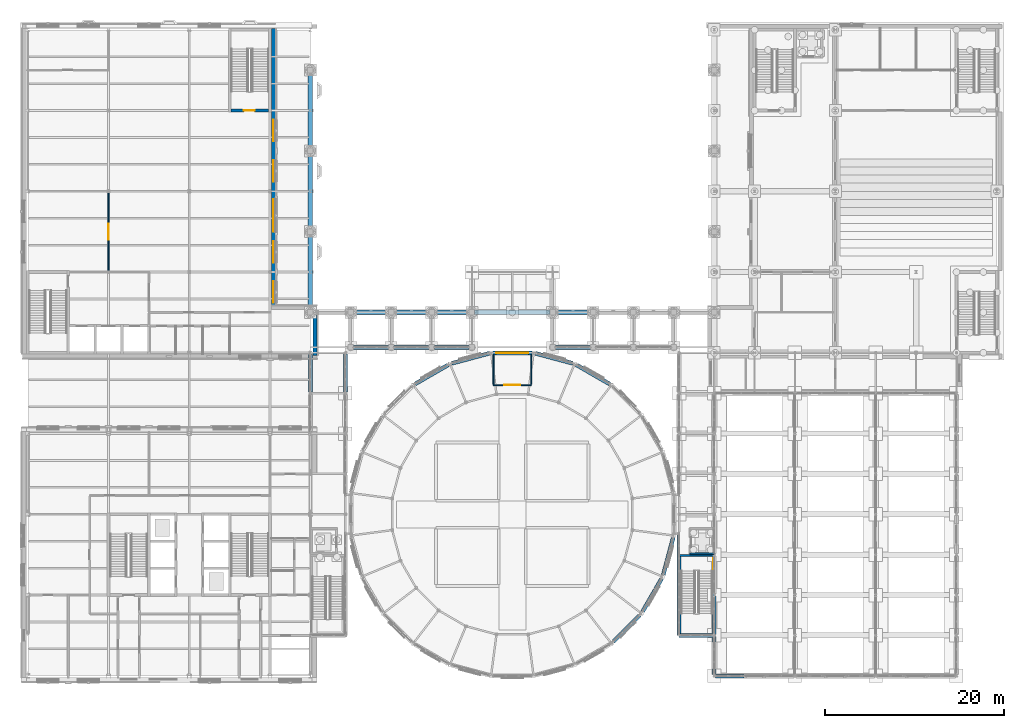
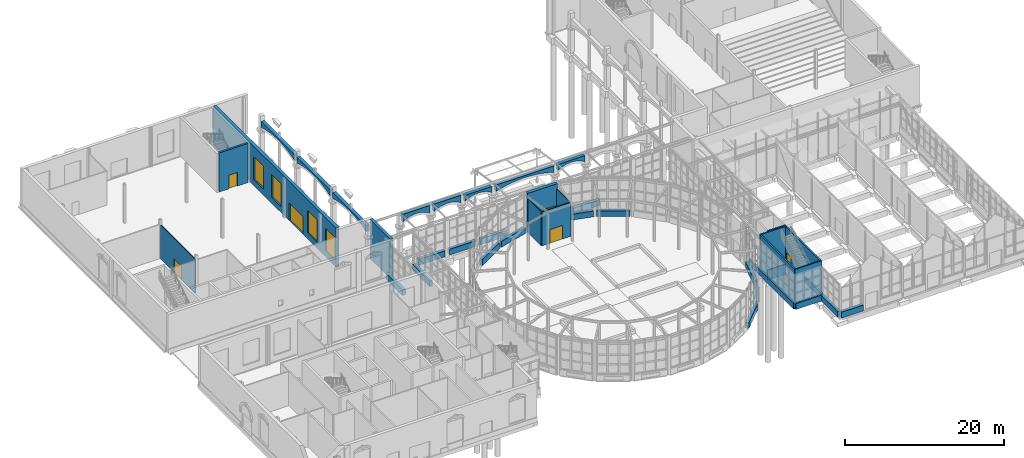
# One storey, part 71 of 106: 40 walls, 6 doors, 4 windows, 10 openings.
"""IFC4 building model written with IfcOpenShell, lengths in metres."""

from ifc_helpers import new_model, si_unit, direction, frame, frame_2d, origin, place, context, subcontext, project, spatial, polyline, rectangle, outline, extrude, material, layer, layer_set, type_object, element, fill, save


model = new_model("IFC4")

# Units and contexts
model_context = context("Model", 3, precision=1e-05, world=origin(), true_north=direction((0.0, 1.0)))
body_context = subcontext(model_context, "Body", "Model", "MODEL_VIEW")
ifc_project = project(units=[si_unit("LENGTHUNIT", "METRE"), si_unit("AREAUNIT", "SQUARE_METRE"), si_unit("VOLUMEUNIT", "CUBIC_METRE"), si_unit("PLANEANGLEUNIT", "RADIAN"), si_unit("MASSUNIT", "GRAM", prefix="KILO")], contexts=[model_context])

# Site, building, storey
site_placement = place(None, origin())
site = spatial("IfcSite", under=ifc_project, at=site_placement, CompositionType="ELEMENT")
building_placement = place(site_placement, origin())
building = spatial("IfcBuilding", under=site, at=building_placement, Name="Hortulan Conservatory and Botanical Research Centre", CompositionType="ELEMENT")
storey_placement = place(building_placement, origin())
storey = spatial("IfcBuildingStorey", under=building, at=storey_placement, Name="L00", CompositionType="ELEMENT", Elevation=0.0)

# Wall, opening, door
ifc_material_1 = material(Name="Concrete N40 (40 MPa, AS 3600)", Category="concrete")
ifc_layer_1 = layer(ifc_material_1, 0.300048828125)
ifc_layer_set_1 = layer_set([ifc_layer_1], Name="Core Wall 300 N40 FRL 180/120/120")
wall_type_1 = type_object("IfcWallType", Name="Core Wall 300 N40 FRL 180/120/120", PredefinedType="SHEAR", material=ifc_layer_set_1)
wall_1_placement = place(storey_placement, frame((22.64990234375, 63.0, 0.0), z_axis=(0.0, 0.0, 1.0), x_axis=(1.0, 0.0, 0.0)))
wall_1 = element("IfcWall", 1, at=wall_1_placement, inside=storey, type_object=wall_type_1, Name="Reinforced concrete shaft wall", PredefinedType="SHEAR", context=body_context, shape_type="SweptSolid", body=[
    extrude(rectangle(XDim=4.2001953125, YDim=0.300048828125, at=frame_2d((2.10009765625, 0.0))), origin(), (0.0, 0.0, 1.0), 6.0),
])
opening_1_placement = place(wall_1_placement, frame((1.436767578125, 0.0, 0.0)))
opening_1 = element("IfcOpeningElement", 2, at=opening_1_placement, cuts=wall_1, Name="Opening DT5", PredefinedType="OPENING", context=body_context, shape_type="SweptSolid", body=[
    extrude(rectangle(XDim=1.199951171875, YDim=2.10009765625, at=frame_2d((0.60009765625, 1.050048828125))), frame((0.0, 0.159912109375, 0.0), z_axis=(0.0, -1.0, 0.0), x_axis=(1.0, 0.0, 0.0)), (0.0, 0.0, 1.0), 0.320068359375),
])
ifc_material_2 = material(Name="Steel door leaf, insulated", Category="steel")
door_type_1 = type_object("IfcDoorType", Name="Stair Door 1200x2100 FRL -/120/30", OperationType="NOTDEFINED", PredefinedType="DOOR", material=ifc_material_2)
door_1_placement = place(opening_1_placement, origin())
door_1 = element("IfcDoor", 3, at=door_1_placement, inside=storey, type_object=door_type_1, Name="Door DT5 Exit Stair V2 to Visitor Centre Entrance Hall and Information", OperationType="SINGLE_SWING_LEFT", OverallHeight=2.10009765625, OverallWidth=1.199951171875, PredefinedType="DOOR", context=body_context, shape_type="SweptSolid", body=[
    extrude(rectangle(XDim=1.199951171875, YDim=2.10009765625, at=frame_2d((0.60009765625, 1.050048828125))), frame((0.0, 0.02490234375, 0.0), z_axis=(0.0, -1.0, 0.0), x_axis=(1.0, 0.0, 0.0)), (0.0, 0.0, 1.0), 0.050048828125),
])
fill(opening_1, door_1)

# Walls
ifc_layer_2 = layer(ifc_material_1, 0.199951171875)
ifc_layer_set_2 = layer_set([ifc_layer_2], Name="Head Link Shaft Wall 200")
wall_type_2 = type_object("IfcWallType", Name="Head Link Shaft Wall 200", PredefinedType="SHEAR", material=ifc_layer_set_2)
for number, where, z_axis, x_axis, name in (
    (4, (72.60009765625, 4.60009765625, 0.0), (0.0, 0.0, 1.0), (1.0, 0.0, 0.0), "HE stair shaft south wall L00"),
    (5, (72.60009765625, 13.39990234375, 0.0), (0.0, 0.0, 1.0), (1.0, 0.0, 0.0), "HE stair shaft north wall L00"),
):
    element("IfcWall", number, at=place(storey_placement, frame(where, z_axis=z_axis, x_axis=x_axis)), inside=storey, type_object=wall_type_2, Name=name, PredefinedType="SHEAR", context=body_context, shape_type="SweptSolid", body=[
        extrude(rectangle(XDim=3.89990234375, YDim=0.199951171875, at=frame_2d((1.949951171875, 0.0))), origin(), (0.0, 0.0, 1.0), 6.0),
    ])
wall_2_placement = place(storey_placement, frame((72.699951171875, 4.699951171875, 0.0), z_axis=(0.0, 0.0, 1.0), x_axis=(0.0, 1.0, 0.0)))
element("IfcWall", 6, at=wall_2_placement, inside=storey, type_object=wall_type_2, Name="HE stair shaft west wall L00", PredefinedType="SHEAR", context=body_context, shape_type="SweptSolid", body=[
    extrude(rectangle(XDim=8.60009765625, YDim=0.199951171875, at=frame_2d((4.300048828125, 0.0))), origin(), (0.0, 0.0, 1.0), 6.0),
])

# Wall, opening, door
wall_3_placement = place(storey_placement, frame((76.39990234375, 4.699951171875, 0.0), z_axis=(0.0, 0.0, 1.0), x_axis=(0.0, 1.0, 0.0)))
wall_3 = element("IfcWall", 7, at=wall_3_placement, inside=storey, type_object=wall_type_2, Name="HE stair shaft east wall L00", PredefinedType="SHEAR", context=body_context, shape_type="SweptSolid", body=[
    extrude(rectangle(XDim=8.60009765625, YDim=0.199951171875, at=frame_2d((4.300048828125, 0.0))), origin(), (0.0, 0.0, 1.0), 6.0),
])
opening_2_placement = place(wall_3_placement, frame((7.199951171875, 0.0, 0.0)))
opening_2 = element("IfcOpeningElement", 8, at=opening_2_placement, cuts=wall_3, Name="Opening DT5", PredefinedType="OPENING", context=body_context, shape_type="SweptSolid", body=[
    extrude(rectangle(XDim=1.199951171875, YDim=2.10009765625, at=frame_2d((0.60009765625, 1.050048828125))), frame((0.0, 0.10986328125, 0.0), z_axis=(0.0, -1.0, 0.0), x_axis=(1.0, 0.0, 0.0)), (0.0, 0.0, 1.0), 0.219970703125),
])
door_2_placement = place(opening_2_placement, origin())
door_2 = element("IfcDoor", 9, at=door_2_placement, inside=storey, type_object=door_type_1, Name="Stair door SHE L00 E to Temperate Glasshouse", OperationType="SINGLE_SWING_LEFT", OverallHeight=2.10009765625, OverallWidth=1.199951171875, PredefinedType="DOOR", context=body_context, shape_type="SweptSolid", body=[
    extrude(rectangle(XDim=1.199951171875, YDim=2.10009765625, at=frame_2d((0.60009765625, 1.050048828125))), frame((0.0, 0.02490234375, 0.0), z_axis=(0.0, -1.0, 0.0), x_axis=(1.0, 0.0, 0.0)), (0.0, 0.0, 1.0), 0.050048828125),
])
fill(opening_2, door_2)

# Walls
wall_4_placement = place(storey_placement, frame((73.800048828125, 13.60009765625, 0.0), z_axis=(0.0, 0.0, 1.0), x_axis=(1.0, 0.0, 0.0)))
element("IfcWall", 10, at=wall_4_placement, inside=storey, type_object=wall_type_2, Name="HE lift shaft south wall L00", PredefinedType="SHEAR", context=body_context, shape_type="SweptSolid", body=[
    extrude(rectangle(XDim=2.699951171875, YDim=0.199951171875, at=frame_2d((1.35009765625, 0.0))), origin(), (0.0, 0.0, 1.0), 6.0),
])
wall_5_placement = place(storey_placement, frame((73.800048828125, 13.60009765625, -1.5), z_axis=(0.0, 0.0, 1.0), x_axis=(1.0, 0.0, 0.0)))
element("IfcWall", 11, at=wall_5_placement, inside=storey, type_object=wall_type_2, Name="HE lift pit south wall", PredefinedType="SHEAR", context=body_context, shape_type="SweptSolid", body=[
    extrude(rectangle(XDim=2.699951171875, YDim=0.199951171875, at=frame_2d((1.35009765625, 0.0))), origin(), (0.0, 0.0, 1.0), 1.5),
])

# Wall, opening, door
ifc_material_3 = material(Name="Plasterboard on steel studs", Category="steel")
ifc_layer_3 = layer(ifc_material_3, 0.125)
ifc_layer_set_3 = layer_set([ifc_layer_3], Name="Partition 125")
wall_type_3 = type_object("IfcWallType", Name="Partition 125", PredefinedType="PARTITIONING", material=ifc_layer_set_3)
wall_6_placement = place(storey_placement, frame((9.0, 45.17041015625, 0.0), z_axis=(0.0, 0.0, 1.0), x_axis=(0.0, 1.0, 0.0)))
wall_6 = element("IfcWall", 12, at=wall_6_placement, inside=storey, type_object=wall_type_3, Name="Partition Winter Garden and Garden Shop L00", PredefinedType="PARTITIONING", context=body_context, shape_type="SweptSolid", body=[
    extrude(rectangle(XDim=8.6591796875, YDim=0.125, at=frame_2d((4.32958984375, 0.0))), origin(), (0.0, 0.0, 1.0), 5.218017578125),
])
opening_3_placement = place(wall_6_placement, frame((3.429443359375, 0.0, 0.0)))
opening_3 = element("IfcOpeningElement", 13, at=opening_3_placement, cuts=wall_6, Name="Opening DL1", PredefinedType="OPENING", context=body_context, shape_type="SweptSolid", body=[
    extrude(rectangle(XDim=1.800048828125, YDim=2.10009765625, at=frame_2d((0.89990234375, 1.050048828125))), frame((0.0, 0.072509765625, 0.0), z_axis=(0.0, -1.0, 0.0), x_axis=(1.0, 0.0, 0.0)), (0.0, 0.0, 1.0), 0.14501953125),
])
ifc_material_4 = material(Name="Glazed aluminium door leaves in aluminium frame", Category="aluminium")
door_type_2 = type_object("IfcDoorType", Name="Glazed Double Door 1800 x 2100", OperationType="DOUBLE_DOOR_SINGLE_SWING", PredefinedType="DOOR", material=ifc_material_4)
door_3_placement = place(opening_3_placement, origin())
door_3 = element("IfcDoor", 14, at=door_3_placement, inside=storey, type_object=door_type_2, Name="Door DL1 Garden Shop to Winter Garden", OperationType="DOUBLE_DOOR_SINGLE_SWING", OverallHeight=2.10009765625, OverallWidth=1.800048828125, PredefinedType="DOOR", context=body_context, shape_type="SweptSolid", body=[
    extrude(rectangle(XDim=1.800048828125, YDim=2.10009765625, at=frame_2d((0.89990234375, 1.050048828125))), frame((0.0, 0.02490234375, 0.0), z_axis=(0.0, -1.0, 0.0), x_axis=(1.0, 0.0, 0.0)), (0.0, 0.0, 1.0), 0.050048828125),
])
fill(opening_3, door_3)

# Walls
for number, where, z_axis, x_axis, name in (
    (15, (51.89990234375, 32.472412109375, 0.0), (0.0, 0.0, 1.0), (0.0, 1.0, 0.0), "Partition Palm Dome Conservatory Under the Canopy Walk and Conservatory Entrance Vestibule L00"),
    (16, (56.10009765625, 32.472412109375, 0.0), (0.0, 0.0, 1.0), (0.0, 1.0, 0.0), "Partition Palm Dome Conservatory Under the Canopy Walk and Conservatory Entrance Vestibule L00"),
):
    element("IfcWall", number, at=place(storey_placement, frame(where, z_axis=z_axis, x_axis=x_axis)), inside=storey, type_object=wall_type_3, Name=name, PredefinedType="PARTITIONING", context=body_context, shape_type="SweptSolid", body=[
        extrude(rectangle(XDim=3.29248046875, YDim=0.125, at=frame_2d((1.646240234375, 0.0))), origin(), (0.0, 0.0, 1.0), 5.218017578125),
    ])

# Wall, opening, door
wall_7_placement = place(storey_placement, frame((51.89990234375, 32.39990234375, 0.0), z_axis=(0.0, 0.0, 1.0), x_axis=(1.0, 0.0, 0.0)))
wall_7 = element("IfcWall", 17, at=wall_7_placement, inside=storey, type_object=wall_type_3, Name="Partition Palm Dome Conservatory Under the Canopy Walk and Conservatory Entrance Vestibule L00", PredefinedType="PARTITIONING", context=body_context, shape_type="SweptSolid", body=[
    extrude(rectangle(XDim=4.2001953125, YDim=0.125, at=frame_2d((2.10009765625, 0.0))), origin(), (0.0, 0.0, 1.0), 5.218017578125),
])
opening_4_placement = place(wall_7_placement, frame((1.199951171875, 0.0, 0.0)))
opening_4 = element("IfcOpeningElement", 18, at=opening_4_placement, cuts=wall_7, Name="Opening DL1", PredefinedType="OPENING", context=body_context, shape_type="SweptSolid", body=[
    extrude(rectangle(XDim=1.800048828125, YDim=2.10009765625, at=frame_2d((0.89990234375, 1.050048828125))), frame((0.0, 0.072509765625, 0.0), z_axis=(0.0, -1.0, 0.0), x_axis=(1.0, 0.0, 0.0)), (0.0, 0.0, 1.0), 0.14501953125),
])
door_4_placement = place(opening_4_placement, frame((1.800048828125, 0.0, 0.0), z_axis=(0.0, 0.0, 1.0), x_axis=(-1.0, 0.0, 0.0)))
door_4 = element("IfcDoor", 19, at=door_4_placement, inside=storey, type_object=door_type_2, Name="Door DL1 Conservatory Entrance Vestibule to Palm Dome Conservatory Under the Canopy Walk", OperationType="DOUBLE_DOOR_SINGLE_SWING", OverallHeight=2.10009765625, OverallWidth=1.800048828125, PredefinedType="DOOR", context=body_context, shape_type="SweptSolid", body=[
    extrude(rectangle(XDim=1.800048828125, YDim=2.10009765625, at=frame_2d((0.89990234375, 1.050048828125))), frame((0.0, 0.02490234375, 0.0), z_axis=(0.0, -1.0, 0.0), x_axis=(1.0, 0.0, 0.0)), (0.0, 0.0, 1.0), 0.050048828125),
])
fill(opening_4, door_4)

# Walls
ifc_material_5 = material(Name="Sandstone masonry (Hawkesbury yellow block)", Category="masonry")
ifc_layer_4 = layer(ifc_material_5, 0.5)
ifc_layer_set_4 = layer_set([ifc_layer_4], Name="Sandstone Arcade Spandrel Wall 500")
wall_type_4 = type_object("IfcWallType", Name="Sandstone Arcade Spandrel Wall 500", PredefinedType="STANDARD", material=ifc_layer_set_4)
for number, where, z_axis, x_axis, name in (
    (20, (36.300048828125, 40.5, 4.3388671875), (0.0, 0.0, 1.0), (1.0, 0.0, 0.0), "Arcade spandrel"),
    (21, (40.800048828125, 40.5, 4.3388671875), (0.0, 0.0, 1.0), (1.0, 0.0, 0.0), "Arcade spandrel"),
):
    element("IfcWall", number, at=place(storey_placement, frame(where, z_axis=z_axis, x_axis=x_axis)), inside=storey, type_object=wall_type_4, Name=name, PredefinedType="STANDARD", context=body_context, shape_type="SweptSolid", body=[
        extrude(outline(polyline([(0.0, 0.0), (0.324951171875, 0.199951171875), (0.64990234375, 0.354248046875), (0.97509765625, 0.468994140625), (1.300048828125, 0.548828125), (1.625, 0.595703125), (1.949951171875, 0.611083984375), (2.27490234375, 0.595703125), (2.60009765625, 0.548828125), (2.925048828125, 0.468994140625), (3.25, 0.354248046875), (3.574951171875, 0.199951171875), (3.89990234375, 0.0), (3.89990234375, 1.1572265625), (0.0, 1.1572265625), (0.0, 0.0)])), frame((0.0, 0.25, 0.0), z_axis=(0.0, -1.0, 0.0), x_axis=(1.0, 0.0, 0.0)), (0.0, 0.0, 1.0), 0.5),
    ])
wall_8_placement = place(storey_placement, frame((45.300048828125, 40.5, 4.3388671875), z_axis=(0.0, 0.0, 1.0), x_axis=(1.0, 0.0, 0.0)))
element("IfcWall", 22, at=wall_8_placement, inside=storey, type_object=wall_type_4, Name="Arcade spandrel", PredefinedType="STANDARD", context=body_context, shape_type="SweptSolid", body=[
    extrude(outline(polyline([(0.0, 0.0), (0.324951171875, 0.199951171875), (0.64990234375, 0.354248046875), (0.97509765625, 0.468994140625), (1.300048828125, 0.548828125), (1.625, 0.595703125), (1.949951171875, 0.611083984375), (2.27490234375, 0.595703125), (2.60009765625, 0.548828125), (2.925048828125, 0.468994140625), (3.25, 0.354248046875), (3.574951171875, 0.199951171875), (3.89990234375, 0.0), (3.89990234375, 0.92822265625), (0.0, 0.92822265625), (0.0, 0.0)])), frame((0.0, 0.25, 0.0), z_axis=(0.0, -1.0, 0.0), x_axis=(1.0, 0.0, 0.0)), (0.0, 0.0, 1.0), 0.5),
])
wall_9_placement = place(storey_placement, frame((49.800048828125, 40.5, 4.269287109375), z_axis=(0.0, 0.0, 1.0), x_axis=(1.0, 0.0, 0.0)))
element("IfcWall", 23, at=wall_9_placement, inside=storey, type_object=wall_type_4, Name="Arcade spandrel", PredefinedType="STANDARD", context=body_context, shape_type="SweptSolid", body=[
    extrude(outline(polyline([(0.0, 0.0), (0.699951171875, 0.2119140625), (1.39990234375, 0.382568359375), (2.10009765625, 0.513916015625), (2.800048828125, 0.60693359375), (3.5, 0.662353515625), (4.199951171875, 0.6806640625), (4.89990234375, 0.662353515625), (5.60009765625, 0.60693359375), (6.300048828125, 0.513916015625), (7.0, 0.382568359375), (7.699951171875, 0.2119140625), (8.39990234375, 0.0), (8.39990234375, 0.997802734375), (0.0, 0.997802734375), (0.0, 0.0)])), frame((0.0, 0.25, 0.0), z_axis=(0.0, -1.0, 0.0), x_axis=(1.0, 0.0, 0.0)), (0.0, 0.0, 1.0), 0.5),
])
wall_10_placement = place(storey_placement, frame((58.800048828125, 40.5, 4.3388671875), z_axis=(0.0, 0.0, 1.0), x_axis=(1.0, 0.0, 0.0)))
element("IfcWall", 24, at=wall_10_placement, inside=storey, type_object=wall_type_4, Name="Arcade spandrel", PredefinedType="STANDARD", context=body_context, shape_type="SweptSolid", body=[
    extrude(outline(polyline([(0.0, 0.0), (0.324951171875, 0.199951171875), (0.64990234375, 0.354248046875), (0.97509765625, 0.468994140625), (1.300048828125, 0.548828125), (1.625, 0.595703125), (1.949951171875, 0.611083984375), (2.27490234375, 0.595703125), (2.60009765625, 0.548828125), (2.925048828125, 0.468994140625), (3.25, 0.354248046875), (3.574951171875, 0.199951171875), (3.89990234375, 0.0), (3.89990234375, 0.92822265625), (0.0, 0.92822265625), (0.0, 0.0)])), frame((0.0, 0.25, 0.0), z_axis=(0.0, -1.0, 0.0), x_axis=(1.0, 0.0, 0.0)), (0.0, 0.0, 1.0), 0.5),
])
for number, where, z_axis, x_axis, name in (
    (25, (31.5, 40.800048828125, 4.269287109375), (0.0, 0.0, 1.0), (0.0, 1.0, 0.0), "Arcade spandrel"),
    (26, (31.5, 49.800048828125, 4.269287109375), (0.0, 0.0, 1.0), (0.0, 1.0, 0.0), "Arcade spandrel"),
    (27, (31.5, 58.800048828125, 4.269287109375), (0.0, 0.0, 1.0), (0.0, 1.0, 0.0), "Arcade spandrel"),
):
    element("IfcWall", number, at=place(storey_placement, frame(where, z_axis=z_axis, x_axis=x_axis)), inside=storey, type_object=wall_type_4, Name=name, PredefinedType="STANDARD", context=body_context, shape_type="SweptSolid", body=[
        extrude(outline(polyline([(0.0, 0.0), (0.60009765625, 0.184326171875), (1.199951171875, 0.337890625), (1.800048828125, 0.46240234375), (2.39990234375, 0.558349609375), (3.0, 0.62646484375), (3.60009765625, 0.667236328125), (4.199951171875, 0.6806640625), (4.800048828125, 0.667236328125), (5.39990234375, 0.62646484375), (6.0, 0.558349609375), (6.60009765625, 0.46240234375), (7.199951171875, 0.337890625), (7.800048828125, 0.184326171875), (8.39990234375, 0.0), (8.39990234375, 0.9306640625), (0.0, 0.9306640625), (0.0, 0.0)])), frame((0.0, 0.25, 0.0), z_axis=(0.0, -1.0, 0.0), x_axis=(1.0, 0.0, 0.0)), (0.0, 0.0, 1.0), 0.5),
    ])
ifc_layer_5 = layer(ifc_material_5, 0.22509765625)
ifc_layer_set_5 = layer_set([ifc_layer_5], Name="Sandstone Masonry Cavity Wall 225")
wall_type_5 = type_object("IfcWallType", Name="Sandstone Masonry Cavity Wall 225", PredefinedType="STANDARD", material=ifc_layer_set_5)
wall_11_placement = place(storey_placement, frame((76.3701171875, 4.387451171875, 0.0), z_axis=(0.0, 0.0, 1.0), x_axis=(-1.0, 0.0, 0.0)))
element("IfcWall", 28, at=wall_11_placement, inside=storey, type_object=wall_type_5, Name="Plinth wall", PredefinedType="STANDARD", context=body_context, shape_type="SweptSolid", body=[
    extrude(rectangle(XDim=3.77001953125, YDim=0.22509765625, at=frame_2d((1.885009765625, 0.0))), origin(), (0.0, 0.0, 1.0), 0.89990234375),
])
wall_12_placement = place(storey_placement, frame((72.487548828125, 4.5, 0.0), z_axis=(0.0, 0.0, 1.0), x_axis=(0.0, 1.0, 0.0)))
element("IfcWall", 29, at=wall_12_placement, inside=storey, type_object=wall_type_5, Name="Plinth wall", PredefinedType="STANDARD", context=body_context, shape_type="SweptSolid", body=[
    extrude(rectangle(XDim=11.205322265625, YDim=0.22509765625, at=frame_2d((5.6025390625, 0.0))), origin(), (0.0, 0.0, 1.0), 0.89990234375),
])
wall_13_placement = place(storey_placement, frame((76.612548828125, 8.8701171875, 0.0), z_axis=(0.0, 0.0, 1.0), x_axis=(0.0, -1.0, 0.0)))
element("IfcWall", 30, at=wall_13_placement, inside=storey, type_object=wall_type_5, Name="Plinth wall", PredefinedType="STANDARD", context=body_context, shape_type="SweptSolid", body=[
    extrude(rectangle(XDim=4.240234375, YDim=0.22509765625, at=frame_2d((2.1201171875, 0.0))), origin(), (0.0, 0.0, 1.0), 0.89990234375),
])

# Wall, openings, door, windows
ifc_layer_6 = layer(ifc_material_5, 0.449951171875)
ifc_layer_set_6 = layer_set([ifc_layer_6], Name="Sandstone Masonry Cavity Wall 450")
wall_type_6 = type_object("IfcWallType", Name="Sandstone Masonry Cavity Wall 450", PredefinedType="STANDARD", material=ifc_layer_set_6)
wall_14_placement = place(storey_placement, frame((27.37939453125, 72.154541015625, 0.0), z_axis=(0.0, 0.0, 1.0), x_axis=(0.0, -1.0, 0.0)))
wall_14 = element("IfcWall", 31, at=wall_14_placement, inside=storey, type_object=wall_type_6, Name="E-EW-VC-L00-E4", PredefinedType="STANDARD", context=body_context, shape_type="SweptSolid", body=[
    extrude(rectangle(XDim=30.904541015625, YDim=0.449951171875, at=frame_2d((15.4521484375, 0.0))), origin(), (0.0, 0.0, 1.0), 6.0),
])
opening_5_placement = place(wall_14_placement, frame((19.054443359375, 0.0, 0.011962890625)))
opening_5 = element("IfcOpeningElement", 32, at=opening_5_placement, cuts=wall_14, Name="Opening ED5", PredefinedType="OPENING", context=body_context, shape_type="SweptSolid", body=[
    extrude(rectangle(XDim=3.60009765625, YDim=2.699951171875, at=frame_2d((1.800048828125, 1.35009765625))), frame((0.0, 0.23486328125, 0.0), z_axis=(0.0, -1.0, 0.0), x_axis=(1.0, 0.0, 0.0)), (0.0, 0.0, 1.0), 0.469970703125),
])
opening_6_placement = place(wall_14_placement, frame((28.20458984375, 0.0, 0.89990234375)))
opening_6 = element("IfcOpeningElement", 33, at=opening_6_placement, cuts=wall_14, Name="Opening W1", PredefinedType="OPENING", context=body_context, shape_type="SweptSolid", body=[
    extrude(rectangle(XDim=2.39990234375, YDim=3.5, at=frame_2d((1.199951171875, 1.75))), frame((0.0, 0.23486328125, 0.0), z_axis=(0.0, -1.0, 0.0), x_axis=(1.0, 0.0, 0.0)), (0.0, 0.0, 1.0), 0.469970703125),
])
opening_7_placement = place(wall_14_placement, frame((23.70458984375, 0.0, 0.89990234375)))
opening_7 = element("IfcOpeningElement", 34, at=opening_7_placement, cuts=wall_14, Name="Opening W1", PredefinedType="OPENING", context=body_context, shape_type="SweptSolid", body=[
    extrude(rectangle(XDim=2.39990234375, YDim=3.5, at=frame_2d((1.199951171875, 1.75))), frame((0.0, 0.23486328125, 0.0), z_axis=(0.0, -1.0, 0.0), x_axis=(1.0, 0.0, 0.0)), (0.0, 0.0, 1.0), 0.469970703125),
])
opening_8_placement = place(wall_14_placement, frame((14.70458984375, 0.0, 0.89990234375)))
opening_8 = element("IfcOpeningElement", 35, at=opening_8_placement, cuts=wall_14, Name="Opening W1", PredefinedType="OPENING", context=body_context, shape_type="SweptSolid", body=[
    extrude(rectangle(XDim=2.39990234375, YDim=3.5, at=frame_2d((1.199951171875, 1.75))), frame((0.0, 0.23486328125, 0.0), z_axis=(0.0, -1.0, 0.0), x_axis=(1.0, 0.0, 0.0)), (0.0, 0.0, 1.0), 0.469970703125),
])
opening_9_placement = place(wall_14_placement, frame((10.20458984375, 0.0, 0.89990234375)))
opening_9 = element("IfcOpeningElement", 36, at=opening_9_placement, cuts=wall_14, Name="Opening W1", PredefinedType="OPENING", context=body_context, shape_type="SweptSolid", body=[
    extrude(rectangle(XDim=2.39990234375, YDim=3.5, at=frame_2d((1.199951171875, 1.75))), frame((0.0, 0.23486328125, 0.0), z_axis=(0.0, -1.0, 0.0), x_axis=(1.0, 0.0, 0.0)), (0.0, 0.0, 1.0), 0.469970703125),
])
ifc_material_6 = material(Name="Bronze and toughened laminated glass", Category="glass")
door_type_3 = type_object("IfcDoorType", Name="Bronze Entrance Door Set 3600x2700", OperationType="DOUBLE_DOOR_DOUBLE_SWING", PredefinedType="DOOR", material=ifc_material_6)
door_5_placement = place(opening_5_placement, origin())
door_5 = element("IfcDoor", 37, at=door_5_placement, inside=storey, type_object=door_type_3, Name="Main entrance door", OperationType="DOUBLE_DOOR_DOUBLE_SWING", OverallHeight=2.699951171875, OverallWidth=3.60009765625, PredefinedType="DOOR", context=body_context, shape_type="SweptSolid", body=[
    extrude(rectangle(XDim=3.60009765625, YDim=2.699951171875, at=frame_2d((1.800048828125, 1.35009765625))), frame((0.0, 0.02490234375, 0.0), z_axis=(0.0, -1.0, 0.0), x_axis=(1.0, 0.0, 0.0)), (0.0, 0.0, 1.0), 0.050048828125),
])
fill(opening_5, door_5)
ifc_material_7 = material(Name="Bronze-finished aluminium frame with low-e laminated double glazing", Category="aluminium")
window_type = type_object("IfcWindowType", Name="Sandstone Window 2400x3500", PartitioningType="SINGLE_PANEL", PredefinedType="WINDOW", material=ifc_material_7)
window_1_placement = place(opening_6_placement, origin())
window_1 = element("IfcWindow", 38, at=window_1_placement, inside=storey, type_object=window_type, Name="Sandstone window", OverallHeight=3.5, OverallWidth=2.39990234375, PartitioningType="SINGLE_PANEL", PredefinedType="WINDOW", context=body_context, shape_type="SweptSolid", body=[
    extrude(rectangle(XDim=2.39990234375, YDim=3.5, at=frame_2d((1.199951171875, 1.75))), frame((0.0, 0.030029296875, 0.0), z_axis=(0.0, -1.0, 0.0), x_axis=(1.0, 0.0, 0.0)), (0.0, 0.0, 1.0), 0.06005859375),
])
fill(opening_6, window_1)
window_2_placement = place(opening_7_placement, origin())
window_2 = element("IfcWindow", 39, at=window_2_placement, inside=storey, type_object=window_type, Name="Sandstone window", OverallHeight=3.5, OverallWidth=2.39990234375, PartitioningType="SINGLE_PANEL", PredefinedType="WINDOW", context=body_context, shape_type="SweptSolid", body=[
    extrude(rectangle(XDim=2.39990234375, YDim=3.5, at=frame_2d((1.199951171875, 1.75))), frame((0.0, 0.030029296875, 0.0), z_axis=(0.0, -1.0, 0.0), x_axis=(1.0, 0.0, 0.0)), (0.0, 0.0, 1.0), 0.06005859375),
])
fill(opening_7, window_2)
window_3_placement = place(opening_8_placement, origin())
window_3 = element("IfcWindow", 40, at=window_3_placement, inside=storey, type_object=window_type, Name="Sandstone window", OverallHeight=3.5, OverallWidth=2.39990234375, PartitioningType="SINGLE_PANEL", PredefinedType="WINDOW", context=body_context, shape_type="SweptSolid", body=[
    extrude(rectangle(XDim=2.39990234375, YDim=3.5, at=frame_2d((1.199951171875, 1.75))), frame((0.0, 0.030029296875, 0.0), z_axis=(0.0, -1.0, 0.0), x_axis=(1.0, 0.0, 0.0)), (0.0, 0.0, 1.0), 0.06005859375),
])
fill(opening_8, window_3)
window_4_placement = place(opening_9_placement, origin())
window_4 = element("IfcWindow", 41, at=window_4_placement, inside=storey, type_object=window_type, Name="Sandstone window", OverallHeight=3.5, OverallWidth=2.39990234375, PartitioningType="SINGLE_PANEL", PredefinedType="WINDOW", context=body_context, shape_type="SweptSolid", body=[
    extrude(rectangle(XDim=2.39990234375, YDim=3.5, at=frame_2d((1.199951171875, 1.75))), frame((0.0, 0.030029296875, 0.0), z_axis=(0.0, -1.0, 0.0), x_axis=(1.0, 0.0, 0.0)), (0.0, 0.0, 1.0), 0.06005859375),
])
fill(opening_9, window_4)

# Walls
wall_15_placement = place(storey_placement, frame((32.02490234375, 40.800048828125, 0.0), z_axis=(0.0, 0.0, 1.0), x_axis=(0.0, -1.0, 0.0)))
element("IfcWall", 42, at=wall_15_placement, inside=storey, type_object=wall_type_6, Name="E-EW-VC-L00-E6", PredefinedType="STANDARD", context=body_context, shape_type="SweptSolid", body=[
    extrude(rectangle(XDim=5.10009765625, YDim=0.449951171875, at=frame_2d((2.550048828125, 0.0))), origin(), (0.0, 0.0, 1.0), 6.0),
])
wall_16_placement = place(storey_placement, frame((61.15771484375, 34.652099609375, 0.0), z_axis=(0.0, 0.0, 1.0), x_axis=(0.866034603873, -0.49998406464, 0.0)))
element("IfcWall", 43, at=wall_16_placement, inside=storey, type_object=wall_type_6, Name="Plinth wall", PredefinedType="STANDARD", context=body_context, shape_type="SweptSolid", body=[
    extrude(rectangle(XDim=4.254638671875, YDim=0.449951171875, at=frame_2d((2.12744140625, 0.0))), origin(), (0.0, 0.0, 1.0), 0.89990234375),
])
wall_17_placement = place(storey_placement, frame((56.579833984375, 35.943603515625, 0.0), z_axis=(0.0, 0.0, 1.0), x_axis=(0.965935901267, -0.258781441844, 0.0)))
element("IfcWall", 44, at=wall_17_placement, inside=storey, type_object=wall_type_6, Name="Plinth wall", PredefinedType="STANDARD", context=body_context, shape_type="SweptSolid", body=[
    extrude(rectangle(XDim=4.304931640625, YDim=0.449951171875, at=frame_2d((2.15234375, 0.0))), origin(), (0.0, 0.0, 1.0), 0.89990234375),
])

# Wall, opening, door
wall_18_placement = place(storey_placement, frame((51.80810546875, 36.0, 0.0), z_axis=(0.0, 0.0, 1.0), x_axis=(1.0, 0.0, 0.0)))
wall_18 = element("IfcWall", 45, at=wall_18_placement, inside=storey, type_object=wall_type_6, Name="Door bay wall", PredefinedType="STANDARD", context=body_context, shape_type="SweptSolid", body=[
    extrude(rectangle(XDim=4.3837890625, YDim=0.449951171875, at=frame_2d((2.19189453125, 0.0))), origin(), (0.0, 0.0, 1.0), 6.0),
])
opening_10_placement = place(wall_18_placement, frame((0.39501953125, 0.0, 0.011962890625)))
opening_10 = element("IfcOpeningElement", 46, at=opening_10_placement, cuts=wall_18, Name="Opening ED5", PredefinedType="OPENING", context=body_context, shape_type="SweptSolid", body=[
    extrude(rectangle(XDim=3.60009765625, YDim=2.699951171875, at=frame_2d((1.800048828125, 1.35009765625))), frame((0.0, 0.23486328125, 0.0), z_axis=(0.0, -1.0, 0.0), x_axis=(1.0, 0.0, 0.0)), (0.0, 0.0, 1.0), 0.469970703125),
])
door_6_placement = place(opening_10_placement, origin())
door_6 = element("IfcDoor", 47, at=door_6_placement, inside=storey, type_object=door_type_3, Name="Main entrance door", OperationType="DOUBLE_DOOR_DOUBLE_SWING", OverallHeight=2.699951171875, OverallWidth=3.60009765625, PredefinedType="DOOR", context=body_context, shape_type="SweptSolid", body=[
    extrude(rectangle(XDim=3.60009765625, YDim=2.699951171875, at=frame_2d((1.800048828125, 1.35009765625))), frame((0.0, 0.02490234375, 0.0), z_axis=(0.0, -1.0, 0.0), x_axis=(1.0, 0.0, 0.0)), (0.0, 0.0, 1.0), 0.050048828125),
])
fill(opening_10, door_6)

# Walls
wall_19_placement = place(storey_placement, frame((47.261962890625, 34.82958984375, 0.0), z_axis=(0.0, 0.0, 1.0), x_axis=(0.965935901267, 0.258781441844, 0.0)))
element("IfcWall", 48, at=wall_19_placement, inside=storey, type_object=wall_type_6, Name="Plinth wall", PredefinedType="STANDARD", context=body_context, shape_type="SweptSolid", body=[
    extrude(rectangle(XDim=4.304931640625, YDim=0.449951171875, at=frame_2d((2.15234375, 0.0))), origin(), (0.0, 0.0, 1.0), 0.89990234375),
])
wall_20_placement = place(storey_placement, frame((43.15771484375, 32.52490234375, 0.0), z_axis=(0.0, 0.0, 1.0), x_axis=(0.866034603873, 0.49998406464, 0.0)))
element("IfcWall", 49, at=wall_20_placement, inside=storey, type_object=wall_type_6, Name="Plinth wall", PredefinedType="STANDARD", context=body_context, shape_type="SweptSolid", body=[
    extrude(rectangle(XDim=4.254638671875, YDim=0.449951171875, at=frame_2d((2.12744140625, 0.0))), origin(), (0.0, 0.0, 1.0), 0.89990234375),
])
wall_21_placement = place(storey_placement, frame((68.226806640625, 6.77099609375, 0.0), z_axis=(0.0, 0.0, 1.0), x_axis=(-0.707106781187, -0.707106781187, 0.0)))
element("IfcWall", 50, at=wall_21_placement, inside=storey, type_object=wall_type_6, Name="Plinth wall", PredefinedType="STANDARD", context=body_context, shape_type="SweptSolid", body=[
    extrude(rectangle(XDim=4.239501953125, YDim=0.449951171875, at=frame_2d((2.11962890625, 0.0))), origin(), (0.0, 0.0, 1.0), 0.89990234375),
])
wall_22_placement = place(storey_placement, frame((70.652099609375, 10.84228515625, 0.0), z_axis=(0.0, 0.0, 1.0), x_axis=(-0.49998406464, -0.866034603873, 0.0)))
element("IfcWall", 51, at=wall_22_placement, inside=storey, type_object=wall_type_6, Name="Plinth wall", PredefinedType="STANDARD", context=body_context, shape_type="SweptSolid", body=[
    extrude(rectangle(XDim=4.254638671875, YDim=0.449951171875, at=frame_2d((2.12744140625, 0.0))), origin(), (0.0, 0.0, 1.0), 0.89990234375),
])
wall_23_placement = place(storey_placement, frame((71.943603515625, 15.420166015625, 0.0), z_axis=(0.0, 0.0, 1.0), x_axis=(-0.258781441844, -0.965935901267, 0.0)))
element("IfcWall", 52, at=wall_23_placement, inside=storey, type_object=wall_type_6, Name="Plinth wall", PredefinedType="STANDARD", context=body_context, shape_type="SweptSolid", body=[
    extrude(rectangle(XDim=4.304931640625, YDim=0.449951171875, at=frame_2d((2.15234375, 0.0))), origin(), (0.0, 0.0, 1.0), 0.89990234375),
])
wall_24_placement = place(storey_placement, frame((35.39990234375, 35.8720703125, 0.0), z_axis=(0.0, 0.0, 1.0), x_axis=(0.0, -1.0, 0.0)))
element("IfcWall", 53, at=wall_24_placement, inside=storey, type_object=wall_type_6, Name="Plinth wall", PredefinedType="STANDARD", context=body_context, shape_type="SweptSolid", body=[
    extrude(rectangle(XDim=4.244140625, YDim=0.449951171875, at=frame_2d((2.1220703125, 0.0))), origin(), (0.0, 0.0, 1.0), 0.89990234375),
])
wall_25_placement = place(storey_placement, frame((31.5, 31.6279296875, 0.0), z_axis=(0.0, 0.0, 1.0), x_axis=(0.0, 1.0, 0.0)))
element("IfcWall", 54, at=wall_25_placement, inside=storey, type_object=wall_type_6, Name="Plinth wall", PredefinedType="STANDARD", context=body_context, shape_type="SweptSolid", body=[
    extrude(rectangle(XDim=4.20849609375, YDim=0.449951171875, at=frame_2d((2.104248046875, 0.0))), origin(), (0.0, 0.0, 1.0), 0.89990234375),
])
for number, where, z_axis, x_axis, name in (
    (55, (36.302978515625, 36.60009765625, 0.0), (0.0, 0.0, 1.0), (1.0, 0.0, 0.0), "Plinth wall"),
    (56, (40.802978515625, 36.60009765625, 0.0), (0.0, 0.0, 1.0), (1.0, 0.0, 0.0), "Plinth wall"),
    (57, (45.302978515625, 36.60009765625, 0.0), (0.0, 0.0, 1.0), (1.0, 0.0, 0.0), "Plinth wall"),
    (58, (58.802978515625, 36.60009765625, 0.0), (0.0, 0.0, 1.0), (1.0, 0.0, 0.0), "Plinth wall"),
):
    element("IfcWall", number, at=place(storey_placement, frame(where, z_axis=z_axis, x_axis=x_axis)), inside=storey, type_object=wall_type_6, Name=name, PredefinedType="STANDARD", context=body_context, shape_type="SweptSolid", body=[
        extrude(rectangle(XDim=3.89404296875, YDim=0.449951171875, at=frame_2d((1.947021484375, 0.0))), origin(), (0.0, 0.0, 1.0), 0.89990234375),
    ])
wall_26_placement = place(storey_placement, frame((79.800048828125, 0.0, 0.0), z_axis=(0.0, 0.0, 1.0), x_axis=(-1.0, 0.0, 0.0)))
element("IfcWall", 59, at=wall_26_placement, inside=storey, type_object=wall_type_6, Name="Plinth wall", PredefinedType="STANDARD", context=body_context, shape_type="SweptSolid", body=[
    extrude(rectangle(XDim=3.170166015625, YDim=0.449951171875, at=frame_2d((1.5849609375, 0.0))), origin(), (0.0, 0.0, 1.0), 0.89990234375),
])
wall_27_placement = place(storey_placement, frame((76.5, 4.3701171875, 0.0), z_axis=(0.0, 0.0, 1.0), x_axis=(0.0, -1.0, 0.0)))
element("IfcWall", 60, at=wall_27_placement, inside=storey, type_object=wall_type_6, Name="Plinth wall", PredefinedType="STANDARD", context=body_context, shape_type="SweptSolid", body=[
    extrude(rectangle(XDim=4.240234375, YDim=0.449951171875, at=frame_2d((2.1201171875, 0.0))), origin(), (0.0, 0.0, 1.0), 0.89990234375),
])

save(model, "model.ifc")
